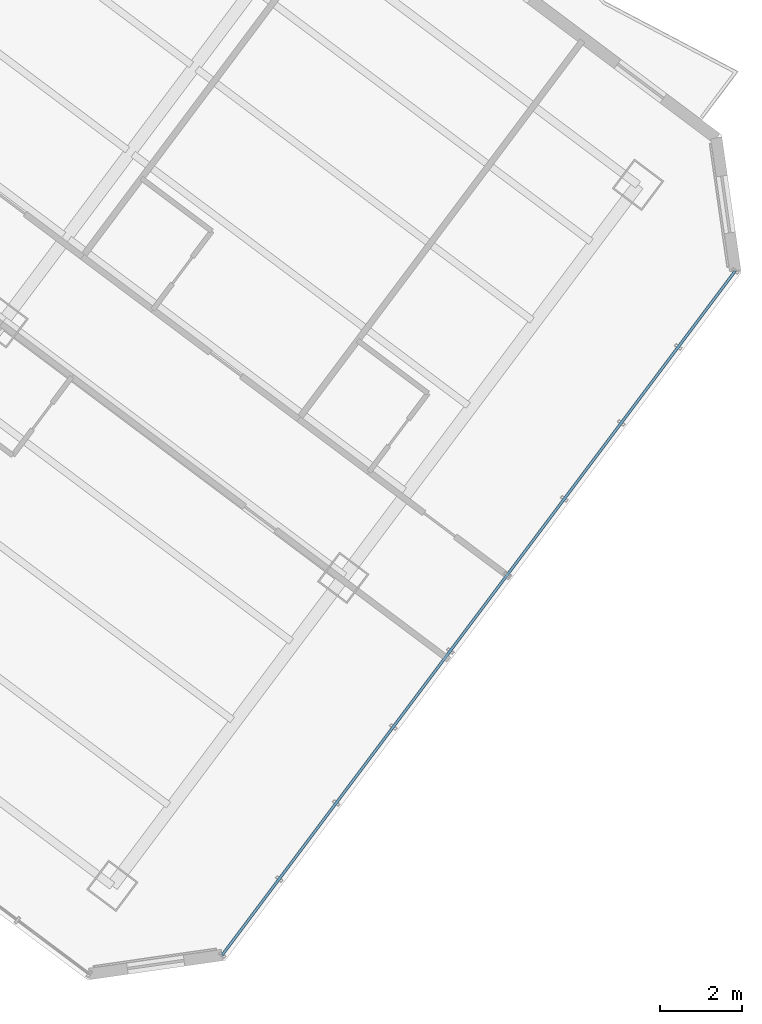
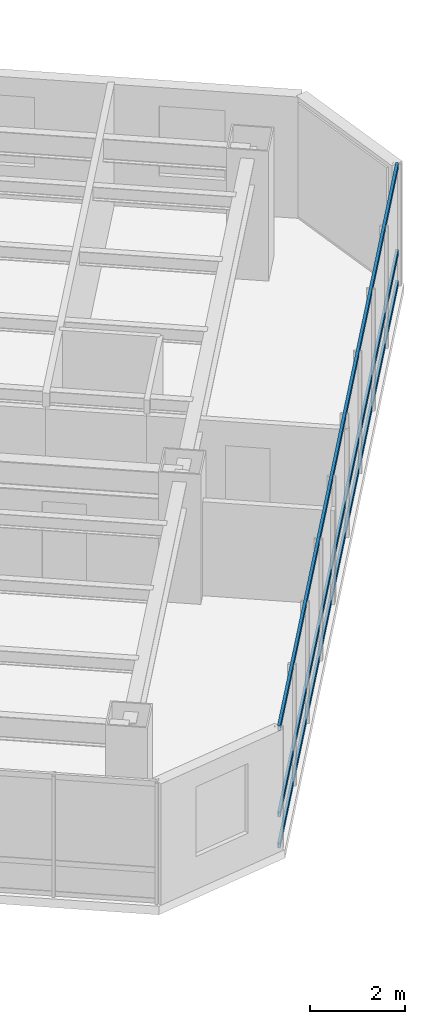
# One storey, part 15 of 36: 3 members, 1 element without a shape of its own.
"""IFC4 building model written with IfcOpenShell, lengths in metres."""

from ifc_helpers import new_model, si_unit, direction, frame, origin, origin_2d, place, context, subcontext, project, spatial, hollow_rectangle, extrude, material, layer, layer_set, material_profile, profile_set, type_object, element, aggregate, save


model = new_model("IFC4")

# Units and contexts
model_context = context("Model", 3, precision=1e-05, world=origin(), true_north=direction((0.0, 1.0)))
body_context = subcontext(model_context, "Body", "Model", "MODEL_VIEW")
ifc_project = project(units=[si_unit("LENGTHUNIT", "METRE"), si_unit("AREAUNIT", "SQUARE_METRE"), si_unit("VOLUMEUNIT", "CUBIC_METRE"), si_unit("PLANEANGLEUNIT", "RADIAN"), si_unit("MASSUNIT", "GRAM", prefix="KILO")], contexts=[model_context])

# Site, building, storey
site_placement = place(None, origin())
site = spatial("IfcSite", under=ifc_project, at=site_placement, CompositionType="ELEMENT")
building_placement = place(site_placement, origin())
building = spatial("IfcBuilding", under=site, at=building_placement, Name="Hatsunagi Terrace Concourse", CompositionType="ELEMENT")
storey_placement = place(building_placement, frame((0.0, 0.0, 84.64990234375)))
storey = spatial("IfcBuildingStorey", under=building, at=storey_placement, Name="L22", CompositionType="ELEMENT", Elevation=84.64990234375)

# Curtain wall, members
ifc_material_1 = material(Name="Anodised Aluminium Alloy 6063-T5", Category="aluminium")
ifc_layer = layer(ifc_material_1, 0.199951171875)
ifc_layer_set = layer_set([ifc_layer], Name="HotelFacade_CW02")
curtain_wall_type = type_object("IfcCurtainWallType", Name="HotelFacade_CW02", PredefinedType="NOTDEFINED", material=ifc_layer_set)
curtain_wall_placement = place(storey_placement, origin())
curtain_wall = element("IfcCurtainWall", 1, at=curtain_wall_placement, inside=storey, type_object=curtain_wall_type, Name="Unitised Curtain Wall CW-02 CW-L22-03", PredefinedType="NOTDEFINED")
ifc_material_2 = material(Name="Anodised Aluminium Alloy 6063-T5", Category="aluminium")
ifc_material_profile = material_profile(ifc_material_2, hollow_rectangle(XDim=0.06494140625, YDim=0.139892578125, WallThickness=0.00390625, at=origin_2d()), Name="ALU-TRN-140x65x4")
ifc_profile_set = profile_set([ifc_material_profile], Name="Anodised Aluminium Alloy 6063-T5")
member_type = type_object("IfcMemberType", Name="CurtainWallTransom_140x65", PredefinedType="USERDEFINED", material=ifc_profile_set)
member_1_placement = place(storey_placement, frame((69.093017578125, 19.657958984375, 0.050048828125), z_axis=(-0.599970072971, -0.800022444397, 0.0), x_axis=(0.800022444397, -0.599970072971, 0.0)))
member_1 = element("IfcMember", 2, at=member_1_placement, type_object=member_type, Name="Curtain Wall Transom TRN-02", ObjectType="TRANSOM", PredefinedType="USERDEFINED", context=body_context, shape_type="SweptSolid", body=[
    extrude(hollow_rectangle(XDim=0.06494140625, YDim=0.139892578125, WallThickness=0.00390625, at=origin_2d()), origin(), (0.0, 0.0, 1.0), 20.884521484375),
])
member_2_placement = place(storey_placement, frame((69.093017578125, 19.657958984375, 0.85009765625), z_axis=(-0.599970072971, -0.800022444397, 0.0), x_axis=(0.800022444397, -0.599970072971, 0.0)))
member_2 = element("IfcMember", 3, at=member_2_placement, type_object=member_type, Name="Curtain Wall Transom TRN-02", ObjectType="TRANSOM", PredefinedType="USERDEFINED", context=body_context, shape_type="SweptSolid", body=[
    extrude(hollow_rectangle(XDim=0.06494140625, YDim=0.139892578125, WallThickness=0.00390625, at=origin_2d()), origin(), (0.0, 0.0, 1.0), 20.884521484375),
])
member_3_placement = place(storey_placement, frame((69.093017578125, 19.657958984375, 3.080078125), z_axis=(-0.599970072971, -0.800022444397, 0.0), x_axis=(0.800022444397, -0.599970072971, 0.0)))
member_3 = element("IfcMember", 4, at=member_3_placement, type_object=member_type, Name="Curtain Wall Transom TRN-02", ObjectType="TRANSOM", PredefinedType="USERDEFINED", context=body_context, shape_type="SweptSolid", body=[
    extrude(hollow_rectangle(XDim=0.06494140625, YDim=0.139892578125, WallThickness=0.00390625, at=origin_2d()), origin(), (0.0, 0.0, 1.0), 20.884521484375),
])
aggregate(curtain_wall, [member_1, member_2, member_3])

save(model, "model.ifc")
